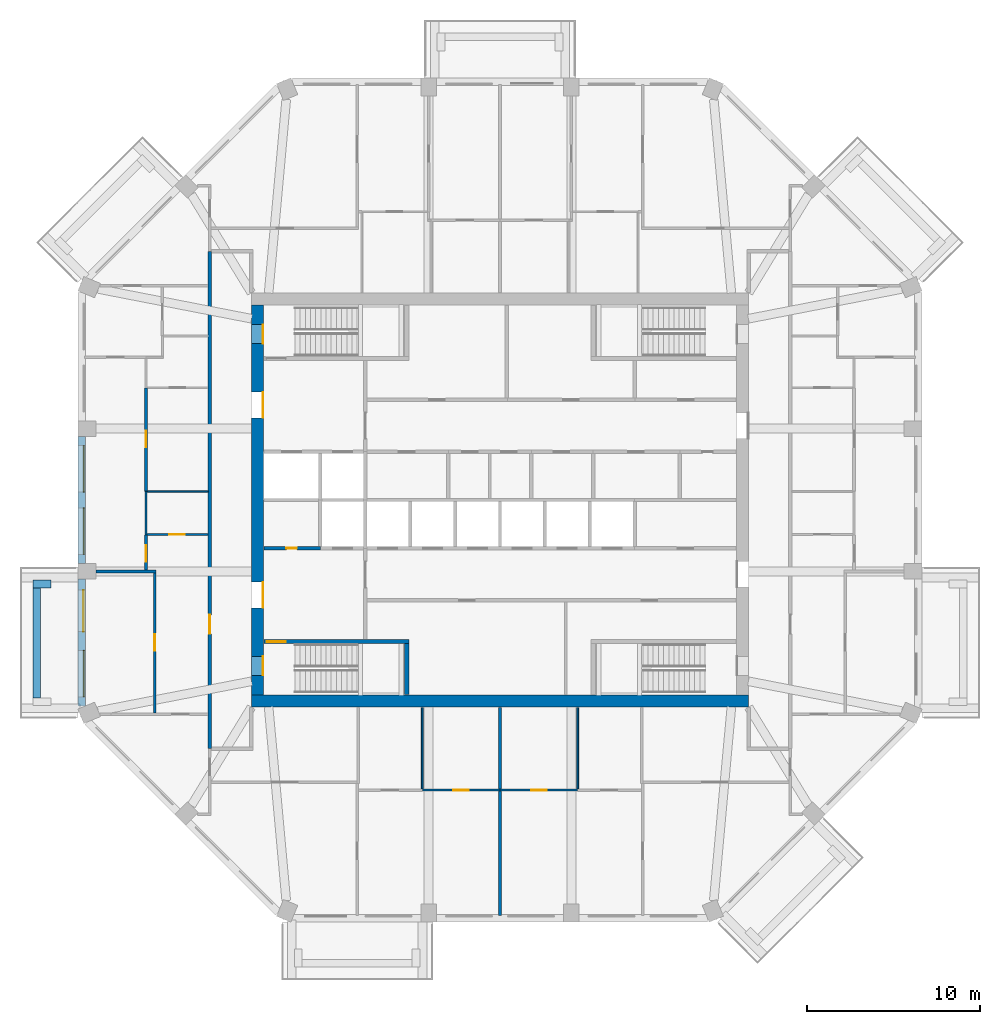
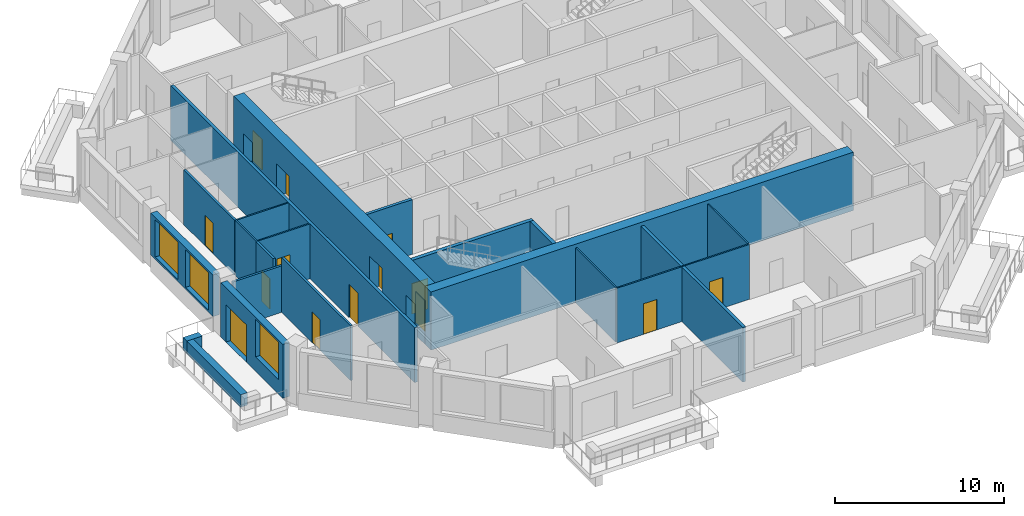
# One storey, part 3 of 10: 22 walls, 14 doors, 3 windows, 17 openings.
"""IFC4 building model written with IfcOpenShell, lengths in metres."""

from ifc_helpers import new_model, si_unit, direction, frame, frame_2d, origin, place, context, subcontext, project, spatial, rectangle, extrude, material, layer, layer_set, type_object, element, fill, save


model = new_model("IFC4")

# Units and contexts
model_context = context("Model", 3, precision=1e-05, world=origin(), true_north=direction((0.0, 1.0)))
body_context = subcontext(model_context, "Body", "Model", "MODEL_VIEW")
ifc_project = project(units=[si_unit("LENGTHUNIT", "METRE"), si_unit("AREAUNIT", "SQUARE_METRE"), si_unit("VOLUMEUNIT", "CUBIC_METRE"), si_unit("PLANEANGLEUNIT", "RADIAN"), si_unit("MASSUNIT", "GRAM", prefix="KILO")], contexts=[model_context])

# Site, building, storey
site_placement = place(None, origin())
site = spatial("IfcSite", under=ifc_project, at=site_placement, CompositionType="ELEMENT")
building_placement = place(site_placement, origin())
building = spatial("IfcBuilding", under=site, at=building_placement, Name="Msitu Wima Residences", CompositionType="ELEMENT")
storey_placement = place(building_placement, frame((0.0, 0.0, 187.5)))
storey = spatial("IfcBuildingStorey", under=building, at=storey_placement, Name="L43", CompositionType="ELEMENT", Elevation=187.5)

# Walls
ifc_material_1 = material(Name="Facing brick")
ifc_layer_1 = layer(ifc_material_1, 0.06494140625, Name="Facing brick")
ifc_material_2 = material(Name="Concrete C40/50", Category="concrete")
ifc_layer_2 = layer(ifc_material_2, 0.156005859375, Name="Concrete C40/50")
ifc_material_3 = material(Name="Waterproofing membrane")
ifc_layer_3 = layer(ifc_material_3, 0.00390625, Name="Waterproofing membrane")
ifc_material_4 = material(Name="Planting soil and planting")
ifc_layer_4 = layer(ifc_material_4, 0.22509765625, Name="Planting soil and planting")
ifc_layer_set_1 = layer_set([ifc_layer_1, ifc_layer_2, ifc_layer_3, ifc_layer_4], Name="Concrete C40/50")
wall_type_1 = type_object("IfcWallType", Name="Balcony planter PLANTER PL450", PredefinedType="USERDEFINED", material=ifc_layer_set_1)
wall_1_placement = place(storey_placement, frame((-26.824951171875, -5.087158203125, 0.0), z_axis=(0.0, 0.0, 1.0), x_axis=(0.0, -1.0, 0.0)))
element("IfcWall", 1, at=wall_1_placement, inside=storey, type_object=wall_type_1, Name="Balcony planter W2 L43", ObjectType="PLANTER", PredefinedType="USERDEFINED", context=body_context, shape_type="SweptSolid", body=[
    extrude(rectangle(XDim=6.37451171875, YDim=0.449951171875, at=frame_2d((3.187255859375, 0.0))), origin(), (0.0, 0.0, 1.0), 0.89990234375),
])
wall_2_placement = place(storey_placement, frame((-26.0, -4.8623046875, 0.0), z_axis=(0.0, 0.0, 1.0), x_axis=(-1.0, 0.0, 0.0)))
element("IfcWall", 2, at=wall_2_placement, inside=storey, type_object=wall_type_1, Name="Balcony planter W2 L43", ObjectType="PLANTER", PredefinedType="USERDEFINED", context=body_context, shape_type="SweptSolid", body=[
    extrude(rectangle(XDim=1.050048828125, YDim=0.449951171875, at=frame_2d((0.52490234375, 0.0))), origin(), (0.0, 0.0, 1.0), 0.89990234375),
])

# Wall, openings, windows
ifc_material_5 = material(Name="Brick (red buff mix)", Category="masonry")
ifc_layer_5 = layer(ifc_material_5, 0.449951171875)
ifc_layer_set_2 = layer_set([ifc_layer_5], Name="Brick (red buff mix)")
wall_type_2 = type_object("IfcWallType", Name="Brick infill wall BW450", PredefinedType="SOLIDWALL", material=ifc_layer_set_2)
wall_3_placement = place(storey_placement, frame((-24.22509765625, 3.687255859375, 0.89990234375), z_axis=(0.0, 0.0, 1.0), x_axis=(0.0, -1.0, 0.0)))
wall_3 = element("IfcWall", 3, at=wall_3_placement, inside=storey, type_object=wall_type_2, Name="Brick infill wall L43 W1", PredefinedType="SOLIDWALL", context=body_context, shape_type="SweptSolid", body=[
    extrude(rectangle(XDim=7.37451171875, YDim=0.449951171875, at=frame_2d((3.687255859375, 0.0))), origin(), (0.0, 0.0, 1.0), 3.0),
])
opening_1_placement = place(wall_3_placement, frame((0.537353515625, 0.0, 0.14990234375)))
opening_1 = element("IfcOpeningElement", 4, at=opening_1_placement, cuts=wall_3, Name="Opening W43-45.031", PredefinedType="OPENING", context=body_context, shape_type="SweptSolid", body=[
    extrude(rectangle(XDim=2.699951171875, YDim=2.699951171875, at=frame_2d((1.35009765625, 1.35009765625))), frame((0.0, 0.23486328125, 0.0), z_axis=(0.0, -1.0, 0.0), x_axis=(1.0, 0.0, 0.0)), (0.0, 0.0, 1.0), 0.469970703125),
])
opening_2_placement = place(wall_3_placement, frame((4.13720703125, 0.0, 0.14990234375)))
opening_2 = element("IfcOpeningElement", 5, at=opening_2_placement, cuts=wall_3, Name="Opening W43-45.032", PredefinedType="OPENING", context=body_context, shape_type="SweptSolid", body=[
    extrude(rectangle(XDim=2.699951171875, YDim=2.699951171875, at=frame_2d((1.35009765625, 1.35009765625))), frame((0.0, 0.23486328125, 0.0), z_axis=(0.0, -1.0, 0.0), x_axis=(1.0, 0.0, 0.0)), (0.0, 0.0, 1.0), 0.469970703125),
])
ifc_material_6 = material(Name="Anodised aluminium, bronze finish, clear low-emissivity double glazing", Category="aluminium")
window_type = type_object("IfcWindowType", Name="Window W2700x2700", PartitioningType="DOUBLE_PANEL_VERTICAL", PredefinedType="WINDOW", material=ifc_material_6)
window_1_placement = place(opening_1_placement, origin())
window_1 = element("IfcWindow", 6, at=window_1_placement, inside=storey, type_object=window_type, Name="Window L43 W1.1", OverallHeight=2.699951171875, OverallWidth=2.699951171875, PartitioningType="SINGLE_PANEL", PredefinedType="WINDOW", context=body_context, shape_type="SweptSolid", body=[
    extrude(rectangle(XDim=2.699951171875, YDim=2.699951171875, at=frame_2d((1.35009765625, 1.35009765625))), frame((0.0, 0.135009765625, 0.0), z_axis=(0.0, -1.0, 0.0), x_axis=(1.0, 0.0, 0.0)), (0.0, 0.0, 1.0), 0.06005859375),
])
fill(opening_1, window_1)
window_2_placement = place(opening_2_placement, origin())
window_2 = element("IfcWindow", 7, at=window_2_placement, inside=storey, type_object=window_type, Name="Window L43 W1.2", OverallHeight=2.699951171875, OverallWidth=2.699951171875, PartitioningType="SINGLE_PANEL", PredefinedType="WINDOW", context=body_context, shape_type="SweptSolid", body=[
    extrude(rectangle(XDim=2.699951171875, YDim=2.699951171875, at=frame_2d((1.35009765625, 1.35009765625))), frame((0.0, 0.135009765625, 0.0), z_axis=(0.0, -1.0, 0.0), x_axis=(1.0, 0.0, 0.0)), (0.0, 0.0, 1.0), 0.06005859375),
])
fill(opening_2, window_2)

# Wall, openings, door, window
wall_4_placement = place(storey_placement, frame((-24.22509765625, -4.587158203125, 0.0), z_axis=(0.0, 0.0, 1.0), x_axis=(0.0, -1.0, 0.0)))
wall_4 = element("IfcWall", 8, at=wall_4_placement, inside=storey, type_object=wall_type_2, Name="Brick infill wall L43 W2", PredefinedType="SOLIDWALL", context=body_context, shape_type="SweptSolid", body=[
    extrude(rectangle(XDim=7.337646484375, YDim=0.449951171875, at=frame_2d((3.6689453125, 0.0))), origin(), (0.0, 0.0, 1.0), 3.89990234375),
])
opening_3_placement = place(wall_4_placement, frame((0.63427734375, 0.0, 0.0)))
opening_3 = element("IfcOpeningElement", 9, at=opening_3_placement, cuts=wall_4, Name="Opening D43-45.007", PredefinedType="OPENING", context=body_context, shape_type="SweptSolid", body=[
    extrude(rectangle(XDim=2.39990234375, YDim=2.699951171875, at=frame_2d((1.199951171875, 1.35009765625))), frame((0.0, 0.23486328125, 0.0), z_axis=(0.0, -1.0, 0.0), x_axis=(1.0, 0.0, 0.0)), (0.0, 0.0, 1.0), 0.469970703125),
])
opening_4_placement = place(wall_4_placement, frame((4.11865234375, 0.0, 1.050048828125)))
opening_4 = element("IfcOpeningElement", 10, at=opening_4_placement, cuts=wall_4, Name="Opening W43-45.033", PredefinedType="OPENING", context=body_context, shape_type="SweptSolid", body=[
    extrude(rectangle(XDim=2.699951171875, YDim=2.699951171875, at=frame_2d((1.35009765625, 1.35009765625))), frame((0.0, 0.23486328125, 0.0), z_axis=(0.0, -1.0, 0.0), x_axis=(1.0, 0.0, 0.0)), (0.0, 0.0, 1.0), 0.469970703125),
])
door_type_1 = type_object("IfcDoorType", Name="Balcony door D2400x2700", OperationType="SLIDING_TO_LEFT", PredefinedType="DOOR", material=ifc_material_6)
door_1_placement = place(opening_3_placement, origin())
door_1 = element("IfcDoor", 11, at=door_1_placement, inside=storey, type_object=door_type_1, Name="Balcony door L43 W2", OperationType="SINGLE_SWING_LEFT", OverallHeight=2.699951171875, OverallWidth=2.39990234375, PredefinedType="DOOR", context=body_context, shape_type="SweptSolid", body=[
    extrude(rectangle(XDim=2.39990234375, YDim=2.699951171875, at=frame_2d((1.199951171875, 1.35009765625))), frame((0.0, 0.1298828125, 0.0), z_axis=(0.0, -1.0, 0.0), x_axis=(1.0, 0.0, 0.0)), (0.0, 0.0, 1.0), 0.050048828125),
])
fill(opening_3, door_1)
window_3_placement = place(opening_4_placement, origin())
window_3 = element("IfcWindow", 12, at=window_3_placement, inside=storey, type_object=window_type, Name="Window L43 W2.2", OverallHeight=2.699951171875, OverallWidth=2.699951171875, PartitioningType="SINGLE_PANEL", PredefinedType="WINDOW", context=body_context, shape_type="SweptSolid", body=[
    extrude(rectangle(XDim=2.699951171875, YDim=2.699951171875, at=frame_2d((1.35009765625, 1.35009765625))), frame((0.0, 0.135009765625, 0.0), z_axis=(0.0, -1.0, 0.0), x_axis=(1.0, 0.0, 0.0)), (0.0, 0.0, 1.0), 0.06005859375),
])
fill(opening_4, window_3)

# Wall
ifc_material_7 = material(Name="Concrete C60/75", Category="concrete")
ifc_layer_6 = layer(ifc_material_7, 0.699951171875)
ifc_layer_set_3 = layer_set([ifc_layer_6], Name="Concrete C60/75")
wall_type_3 = type_object("IfcWallType", Name="Core wall CW700 C60/75", PredefinedType="SHEAR", material=ifc_layer_set_3)
wall_5_placement = place(storey_placement, frame((-14.39990234375, -11.64990234375, 0.0), z_axis=(0.0, 0.0, 1.0), x_axis=(1.0, 0.0, 0.0)))
element("IfcWall", 13, at=wall_5_placement, inside=storey, type_object=wall_type_3, Name="Core wall", PredefinedType="SHEAR", context=body_context, shape_type="SweptSolid", body=[
    extrude(rectangle(XDim=28.7998046875, YDim=0.699951171875, at=frame_2d((14.39990234375, 0.0))), origin(), (0.0, 0.0, 1.0), 4.199951171875),
])

# Wall, openings, doors
wall_6_placement = place(storey_placement, frame((-14.050048828125, -11.300048828125, 0.0), z_axis=(0.0, 0.0, 1.0), x_axis=(0.0, 1.0, 0.0)))
wall_6 = element("IfcWall", 14, at=wall_6_placement, inside=storey, type_object=wall_type_3, Name="Core wall", PredefinedType="SHEAR", context=body_context, shape_type="SweptSolid", body=[
    extrude(rectangle(XDim=22.60009765625, YDim=0.699951171875, at=frame_2d((11.300048828125, 0.0))), origin(), (0.0, 0.0, 1.0), 4.199951171875),
])
opening_5_placement = place(wall_6_placement, frame((20.35009765625, 0.0, 0.0)))
opening_5 = element("IfcOpeningElement", 15, at=opening_5_placement, cuts=wall_6, Name="Opening D43-45.069", PredefinedType="OPENING", context=body_context, shape_type="SweptSolid", body=[
    extrude(rectangle(XDim=1.10009765625, YDim=2.199951171875, at=frame_2d((0.550048828125, 1.10009765625))), frame((0.0, 0.35986328125, 0.0), z_axis=(0.0, -1.0, 0.0), x_axis=(1.0, 0.0, 0.0)), (0.0, 0.0, 1.0), 0.719970703125),
])
opening_6_placement = place(wall_6_placement, frame((1.14990234375, 0.0, 0.0)))
opening_6 = element("IfcOpeningElement", 16, at=opening_6_placement, cuts=wall_6, Name="Opening D43-45.071", PredefinedType="OPENING", context=body_context, shape_type="SweptSolid", body=[
    extrude(rectangle(XDim=1.10009765625, YDim=2.199951171875, at=frame_2d((0.550048828125, 1.10009765625))), frame((0.0, 0.35986328125, 0.0), z_axis=(0.0, -1.0, 0.0), x_axis=(1.0, 0.0, 0.0)), (0.0, 0.0, 1.0), 0.719970703125),
])
opening_7_placement = place(wall_6_placement, frame((16.050048828125, 0.0, 0.0)))
opening_7 = element("IfcOpeningElement", 17, at=opening_7_placement, cuts=wall_6, Name="Opening D43-45.051", PredefinedType="OPENING", context=body_context, shape_type="SweptSolid", body=[
    extrude(rectangle(XDim=1.5, YDim=2.39990234375, at=frame_2d((0.75, 1.199951171875))), frame((0.0, 0.35986328125, 0.0), z_axis=(0.0, -1.0, 0.0), x_axis=(1.0, 0.0, 0.0)), (0.0, 0.0, 1.0), 0.719970703125),
])
opening_8_placement = place(wall_6_placement, frame((5.050048828125, 0.0, 0.0)))
opening_8 = element("IfcOpeningElement", 18, at=opening_8_placement, cuts=wall_6, Name="Opening D43-45.053", PredefinedType="OPENING", context=body_context, shape_type="SweptSolid", body=[
    extrude(rectangle(XDim=1.5, YDim=2.39990234375, at=frame_2d((0.75, 1.199951171875))), frame((0.0, 0.35986328125, 0.0), z_axis=(0.0, -1.0, 0.0), x_axis=(1.0, 0.0, 0.0)), (0.0, 0.0, 1.0), 0.719970703125),
])
ifc_material_8 = material(Name="Steel framed glazed door, fire resisting", Category="steel")
door_type_2 = type_object("IfcDoorType", Name="Lobby door D07 1500x2400", OperationType="DOUBLE_DOOR_SINGLE_SWING", PredefinedType="DOOR", material=ifc_material_8)
door_2_placement = place(opening_7_placement, origin())
door_2 = element("IfcDoor", 19, at=door_2_placement, inside=storey, type_object=door_type_2, Name="Lobby door", OperationType="DOUBLE_DOOR_SINGLE_SWING", OverallHeight=2.39990234375, OverallWidth=1.5, PredefinedType="DOOR", context=body_context, shape_type="SweptSolid", body=[
    extrude(rectangle(XDim=1.5, YDim=2.39990234375, at=frame_2d((0.75, 1.199951171875))), frame((0.0, -0.294921875, 0.0), z_axis=(0.0, -1.0, 0.0), x_axis=(1.0, 0.0, 0.0)), (0.0, 0.0, 1.0), 0.050048828125),
])
fill(opening_7, door_2)
door_3_placement = place(opening_8_placement, origin())
door_3 = element("IfcDoor", 20, at=door_3_placement, inside=storey, type_object=door_type_2, Name="Lobby door", OperationType="DOUBLE_DOOR_SINGLE_SWING", OverallHeight=2.39990234375, OverallWidth=1.5, PredefinedType="DOOR", context=body_context, shape_type="SweptSolid", body=[
    extrude(rectangle(XDim=1.5, YDim=2.39990234375, at=frame_2d((0.75, 1.199951171875))), frame((0.0, -0.294921875, 0.0), z_axis=(0.0, -1.0, 0.0), x_axis=(1.0, 0.0, 0.0)), (0.0, 0.0, 1.0), 0.050048828125),
])
fill(opening_8, door_3)
ifc_material_9 = material(Name="Steel door, fire resisting, panic bar", Category="steel")
door_type_3 = type_object("IfcDoorType", Name="Stair door D06 1100x2200", OperationType="SINGLE_SWING_LEFT", PredefinedType="DOOR", material=ifc_material_9)
door_4_placement = place(opening_5_placement, origin())
door_4 = element("IfcDoor", 21, at=door_4_placement, inside=storey, type_object=door_type_3, Name="Stair door", OperationType="SINGLE_SWING_RIGHT", OverallHeight=2.199951171875, OverallWidth=1.10009765625, PredefinedType="DOOR", context=body_context, shape_type="SweptSolid", body=[
    extrude(rectangle(XDim=1.10009765625, YDim=2.199951171875, at=frame_2d((0.550048828125, 1.10009765625))), frame((0.0, -0.294921875, 0.0), z_axis=(0.0, -1.0, 0.0), x_axis=(1.0, 0.0, 0.0)), (0.0, 0.0, 1.0), 0.050048828125),
])
fill(opening_5, door_4)
door_5_placement = place(opening_6_placement, origin())
door_5 = element("IfcDoor", 22, at=door_5_placement, inside=storey, type_object=door_type_3, Name="Stair door", OperationType="SINGLE_SWING_LEFT", OverallHeight=2.199951171875, OverallWidth=1.10009765625, PredefinedType="DOOR", context=body_context, shape_type="SweptSolid", body=[
    extrude(rectangle(XDim=1.10009765625, YDim=2.199951171875, at=frame_2d((0.550048828125, 1.10009765625))), frame((0.0, -0.294921875, 0.0), z_axis=(0.0, -1.0, 0.0), x_axis=(1.0, 0.0, 0.0)), (0.0, 0.0, 1.0), 0.050048828125),
])
fill(opening_6, door_5)

# Wall, opening, door
ifc_material_10 = material(Name="Plaster")
ifc_layer_7 = layer(ifc_material_10, 0.011962890625, Name="Plaster")
ifc_material_11 = material(Name="Concrete blockwork", Category="masonry")
ifc_layer_8 = layer(ifc_material_11, 0.176025390625, Name="Concrete blockwork")
ifc_layer_9 = layer(ifc_material_10, 0.011962890625, Name="Plaster")
ifc_layer_set_4 = layer_set([ifc_layer_7, ifc_layer_8, ifc_layer_9], Name="Concrete blockwork")
wall_type_4 = type_object("IfcWallType", Name="Corridor wall FW200", PredefinedType="PARTITIONING", material=ifc_layer_set_4)
wall_7_placement = place(storey_placement, frame((-16.800048828125, -14.39990234375, 0.0), z_axis=(0.0, 0.0, 1.0), x_axis=(0.0, 1.0, 0.0)))
wall_7 = element("IfcWall", 23, at=wall_7_placement, inside=storey, type_object=wall_type_4, Name="Corridor wall", PredefinedType="PARTITIONING", context=body_context, shape_type="SweptSolid", body=[
    extrude(rectangle(XDim=28.7998046875, YDim=0.199951171875, at=frame_2d((14.39990234375, 0.0))), origin(), (0.0, 0.0, 1.0), 3.949951171875),
])
opening_9_placement = place(wall_7_placement, frame((6.64990234375, 0.0, 0.0)))
opening_9 = element("IfcOpeningElement", 24, at=opening_9_placement, cuts=wall_7, Name="Opening D43-45.029", PredefinedType="OPENING", context=body_context, shape_type="SweptSolid", body=[
    extrude(rectangle(XDim=1.10009765625, YDim=2.39990234375, at=frame_2d((0.550048828125, 1.199951171875))), frame((0.0, 0.10986328125, 0.0), z_axis=(0.0, -1.0, 0.0), x_axis=(1.0, 0.0, 0.0)), (0.0, 0.0, 1.0), 0.219970703125),
])
ifc_material_12 = material(Name="Timber flush door, fire resisting, self-closing", Category="wood")
door_type_4 = type_object("IfcDoorType", Name="Flat entrance door D01 1100x2400", OperationType="SINGLE_SWING_LEFT", PredefinedType="DOOR", material=ifc_material_12)
door_6_placement = place(opening_9_placement, origin())
door_6 = element("IfcDoor", 25, at=door_6_placement, inside=storey, type_object=door_type_4, Name="Flat entrance door", OperationType="SINGLE_SWING_LEFT", OverallHeight=2.39990234375, OverallWidth=1.10009765625, PredefinedType="DOOR", context=body_context, shape_type="SweptSolid", body=[
    extrude(rectangle(XDim=1.10009765625, YDim=2.39990234375, at=frame_2d((0.550048828125, 1.199951171875))), frame((0.0, 0.02490234375, 0.0), z_axis=(0.0, -1.0, 0.0), x_axis=(1.0, 0.0, 0.0)), (0.0, 0.0, 1.0), 0.050048828125),
])
fill(opening_9, door_6)

# Wall
ifc_layer_10 = layer(ifc_material_10, 0.011962890625, Name="Plaster")
ifc_layer_11 = layer(ifc_material_11, 0.1259765625, Name="Concrete blockwork")
ifc_layer_12 = layer(ifc_material_10, 0.011962890625, Name="Plaster")
ifc_layer_set_5 = layer_set([ifc_layer_10, ifc_layer_11, ifc_layer_12], Name="Concrete blockwork")
wall_type_5 = type_object("IfcWallType", Name="Partition PW150", PredefinedType="PARTITIONING", material=ifc_layer_set_5)
wall_8_placement = place(storey_placement, frame((-23.39990234375, -4.139892578125, 0.0), z_axis=(0.0, 0.0, 1.0), x_axis=(1.0, 0.0, 0.0)))
element("IfcWall", 26, at=wall_8_placement, inside=storey, type_object=wall_type_5, Name="Partition", PredefinedType="PARTITIONING", context=body_context, shape_type="SweptSolid", body=[
    extrude(rectangle(XDim=3.474853515625, YDim=0.14990234375, at=frame_2d((1.7373046875, 0.0))), origin(), (0.0, 0.0, 1.0), 3.35009765625),
])

# Wall, opening, door
wall_9_placement = place(storey_placement, frame((-20.5, -4.06494140625, 0.0), z_axis=(0.0, 0.0, 1.0), x_axis=(0.0, 1.0, 0.0)))
wall_9 = element("IfcWall", 27, at=wall_9_placement, inside=storey, type_object=wall_type_5, Name="Partition", PredefinedType="PARTITIONING", context=body_context, shape_type="SweptSolid", body=[
    extrude(rectangle(XDim=2.044921875, YDim=0.14990234375, at=frame_2d((1.0224609375, 0.0))), origin(), (0.0, 0.0, 1.0), 3.949951171875),
])
opening_10_placement = place(wall_9_placement, frame((0.5, 0.0, 0.0)))
opening_10 = element("IfcOpeningElement", 28, at=opening_10_placement, cuts=wall_9, Name="Opening D43-45.044", PredefinedType="OPENING", context=body_context, shape_type="SweptSolid", body=[
    extrude(rectangle(XDim=0.949951171875, YDim=2.199951171875, at=frame_2d((0.47509765625, 1.10009765625))), frame((0.0, 0.0849609375, 0.0), z_axis=(0.0, -1.0, 0.0), x_axis=(1.0, 0.0, 0.0)), (0.0, 0.0, 1.0), 0.169921875),
])
ifc_material_13 = material(Name="Timber flush door", Category="wood")
door_type_5 = type_object("IfcDoorType", Name="Room door D12 950x2200", OperationType="SINGLE_SWING_LEFT", PredefinedType="DOOR", material=ifc_material_13)
door_7_placement = place(opening_10_placement, origin())
door_7 = element("IfcDoor", 29, at=door_7_placement, inside=storey, type_object=door_type_5, Name="Room door", OperationType="SINGLE_SWING_LEFT", OverallHeight=2.199951171875, OverallWidth=0.949951171875, PredefinedType="DOOR", context=body_context, shape_type="SweptSolid", body=[
    extrude(rectangle(XDim=0.949951171875, YDim=2.199951171875, at=frame_2d((0.47509765625, 1.10009765625))), frame((0.0, 0.02490234375, 0.0), z_axis=(0.0, -1.0, 0.0), x_axis=(1.0, 0.0, 0.0)), (0.0, 0.0, 1.0), 0.050048828125),
])
fill(opening_10, door_7)

wall_10_placement = place(storey_placement, frame((-20.5, 0.5, 0.0), z_axis=(0.0, 0.0, 1.0), x_axis=(0.0, 1.0, 0.0)))
wall_10 = element("IfcWall", 30, at=wall_10_placement, inside=storey, type_object=wall_type_5, Name="Partition", PredefinedType="PARTITIONING", context=body_context, shape_type="SweptSolid", body=[
    extrude(rectangle(XDim=6.0, YDim=0.14990234375, at=frame_2d((3.0, 0.0))), origin(), (0.0, 0.0, 1.0), 3.949951171875),
])
opening_11_placement = place(wall_10_placement, frame((2.550048828125, 0.0, 0.0)))
opening_11 = element("IfcOpeningElement", 31, at=opening_11_placement, cuts=wall_10, Name="Opening D43-45.031", PredefinedType="OPENING", context=body_context, shape_type="SweptSolid", body=[
    extrude(rectangle(XDim=0.949951171875, YDim=2.199951171875, at=frame_2d((0.47509765625, 1.10009765625))), frame((0.0, 0.0849609375, 0.0), z_axis=(0.0, -1.0, 0.0), x_axis=(1.0, 0.0, 0.0)), (0.0, 0.0, 1.0), 0.169921875),
])
door_8_placement = place(opening_11_placement, origin())
door_8 = element("IfcDoor", 32, at=door_8_placement, inside=storey, type_object=door_type_5, Name="Room door", OperationType="SINGLE_SWING_RIGHT", OverallHeight=2.199951171875, OverallWidth=0.949951171875, PredefinedType="DOOR", context=body_context, shape_type="SweptSolid", body=[
    extrude(rectangle(XDim=0.949951171875, YDim=2.199951171875, at=frame_2d((0.47509765625, 1.10009765625))), frame((0.0, 0.02490234375, 0.0), z_axis=(0.0, -1.0, 0.0), x_axis=(1.0, 0.0, 0.0)), (0.0, 0.0, 1.0), 0.050048828125),
])
fill(opening_11, door_8)

wall_11_placement = place(storey_placement, frame((-20.0, -12.3349609375, 0.0), z_axis=(0.0, 0.0, 1.0), x_axis=(0.0, 1.0, 0.0)))
wall_11 = element("IfcWall", 33, at=wall_11_placement, inside=storey, type_object=wall_type_5, Name="Partition", PredefinedType="PARTITIONING", context=body_context, shape_type="SweptSolid", body=[
    extrude(rectangle(XDim=8.119873046875, YDim=0.14990234375, at=frame_2d((4.06005859375, 0.0))), origin(), (0.0, 0.0, 1.0), 3.949951171875),
])
opening_12_placement = place(wall_11_placement, frame((3.60009765625, 0.0, 0.0)))
opening_12 = element("IfcOpeningElement", 34, at=opening_12_placement, cuts=wall_11, Name="Opening D43-45.043", PredefinedType="OPENING", context=body_context, shape_type="SweptSolid", body=[
    extrude(rectangle(XDim=0.949951171875, YDim=2.199951171875, at=frame_2d((0.47509765625, 1.10009765625))), frame((0.0, 0.0849609375, 0.0), z_axis=(0.0, -1.0, 0.0), x_axis=(1.0, 0.0, 0.0)), (0.0, 0.0, 1.0), 0.169921875),
])
door_9_placement = place(opening_12_placement, origin())
door_9 = element("IfcDoor", 35, at=door_9_placement, inside=storey, type_object=door_type_5, Name="Room door", OperationType="SINGLE_SWING_RIGHT", OverallHeight=2.199951171875, OverallWidth=0.949951171875, PredefinedType="DOOR", context=body_context, shape_type="SweptSolid", body=[
    extrude(rectangle(XDim=0.949951171875, YDim=2.199951171875, at=frame_2d((0.47509765625, 1.10009765625))), frame((0.0, 0.02490234375, 0.0), z_axis=(0.0, -1.0, 0.0), x_axis=(1.0, 0.0, 0.0)), (0.0, 0.0, 1.0), 0.050048828125),
])
fill(opening_12, door_9)

# Wall
ifc_layer_13 = layer(ifc_material_10, 0.011962890625, Name="Plaster")
ifc_material_14 = material(Name="Dense concrete blockwork", Category="masonry")
ifc_layer_14 = layer(ifc_material_14, 0.176025390625, Name="Dense concrete blockwork")
ifc_layer_15 = layer(ifc_material_10, 0.011962890625, Name="Plaster")
ifc_layer_set_6 = layer_set([ifc_layer_13, ifc_layer_14, ifc_layer_15], Name="Dense concrete blockwork")
wall_type_6 = type_object("IfcWallType", Name="Party wall PW200", PredefinedType="PARTITIONING", material=ifc_layer_set_6)
wall_12_placement = place(storey_placement, frame((0.0, -24.054931640625, 0.0), z_axis=(0.0, 0.0, 1.0), x_axis=(0.0, 1.0, 0.0)))
element("IfcWall", 36, at=wall_12_placement, inside=storey, type_object=wall_type_6, Name="Party wall", PredefinedType="PARTITIONING", context=body_context, shape_type="SweptSolid", body=[
    extrude(rectangle(XDim=12.02490234375, YDim=0.199951171875, at=frame_2d((6.012451171875, 0.0))), origin(), (0.0, 0.0, 1.0), 3.949951171875),
])

# Wall, opening, door
ifc_layer_16 = layer(ifc_material_10, 0.011962890625, Name="Plaster")
ifc_material_15 = material(Name="Reinforced concrete blockwork", Category="masonry")
ifc_layer_17 = layer(ifc_material_15, 0.176025390625, Name="Reinforced concrete blockwork")
ifc_layer_18 = layer(ifc_material_10, 0.011962890625, Name="Plaster")
ifc_layer_set_7 = layer_set([ifc_layer_16, ifc_layer_17, ifc_layer_18], Name="Reinforced concrete blockwork")
wall_type_7 = type_object("IfcWallType", Name="Plant and riser wall PL200", PredefinedType="PARTITIONING", material=ifc_layer_set_7)
wall_13_placement = place(storey_placement, frame((-13.669921875, -2.800048828125, 0.0), z_axis=(0.0, 0.0, 1.0), x_axis=(1.0, 0.0, 0.0)))
wall_13 = element("IfcWall", 37, at=wall_13_placement, inside=storey, type_object=wall_type_7, Name="Plant and riser wall", PredefinedType="PARTITIONING", context=body_context, shape_type="SweptSolid", body=[
    extrude(rectangle(XDim=3.27001953125, YDim=0.199951171875, at=frame_2d((1.635009765625, 0.0))), origin(), (0.0, 0.0, 1.0), 3.949951171875),
])
opening_13_placement = place(wall_13_placement, frame((1.300048828125, 0.0, 0.0)))
opening_13 = element("IfcOpeningElement", 38, at=opening_13_placement, cuts=wall_13, Name="Opening D43-45.068", PredefinedType="OPENING", context=body_context, shape_type="SweptSolid", body=[
    extrude(rectangle(XDim=0.60009765625, YDim=2.0, at=frame_2d((0.300048828125, 1.0))), frame((0.0, 0.10986328125, 0.0), z_axis=(0.0, -1.0, 0.0), x_axis=(1.0, 0.0, 0.0)), (0.0, 0.0, 1.0), 0.219970703125),
])
ifc_material_16 = material(Name="Steel access door, fire resisting", Category="steel")
door_type_6 = type_object("IfcDoorType", Name="Riser access door D08 600x2000", OperationType="SINGLE_SWING_LEFT", PredefinedType="DOOR", material=ifc_material_16)
door_10_placement = place(opening_13_placement, origin())
door_10 = element("IfcDoor", 39, at=door_10_placement, inside=storey, type_object=door_type_6, Name="Riser access door", OperationType="SINGLE_SWING_RIGHT", OverallHeight=2.0, OverallWidth=0.60009765625, PredefinedType="DOOR", context=body_context, shape_type="SweptSolid", body=[
    extrude(rectangle(XDim=0.60009765625, YDim=2.0, at=frame_2d((0.300048828125, 1.0))), frame((0.0, 0.02490234375, 0.0), z_axis=(0.0, -1.0, 0.0), x_axis=(1.0, 0.0, 0.0)), (0.0, 0.0, 1.0), 0.050048828125),
])
fill(opening_13, door_10)

ifc_material_17 = material(Name="Concrete C50/60", Category="concrete")
ifc_layer_19 = layer(ifc_material_17, 0.25)
ifc_layer_set_8 = layer_set([ifc_layer_19], Name="Concrete C50/60")
wall_type_8 = type_object("IfcWallType", Name="Stair enclosure wall SW250", PredefinedType="SHEAR", material=ifc_layer_set_8)
wall_14_placement = place(storey_placement, frame((-13.669921875, -8.199951171875, 0.0), z_axis=(0.0, 0.0, 1.0), x_axis=(1.0, 0.0, 0.0)))
wall_14 = element("IfcWall", 40, at=wall_14_placement, inside=storey, type_object=wall_type_8, Name="Stair enclosure wall", PredefinedType="SHEAR", context=body_context, shape_type="SweptSolid", body=[
    extrude(rectangle(XDim=8.39501953125, YDim=0.25, at=frame_2d((4.197509765625, 0.0))), origin(), (0.0, 0.0, 1.0), 3.949951171875),
])
opening_14_placement = place(wall_14_placement, frame((0.14990234375, 0.0, 0.0)))
opening_14 = element("IfcOpeningElement", 41, at=opening_14_placement, cuts=wall_14, Name="Opening D43-45.072", PredefinedType="OPENING", context=body_context, shape_type="SweptSolid", body=[
    extrude(rectangle(XDim=1.10009765625, YDim=2.199951171875, at=frame_2d((0.550048828125, 1.10009765625))), frame((0.0, 0.135009765625, 0.0), z_axis=(0.0, -1.0, 0.0), x_axis=(1.0, 0.0, 0.0)), (0.0, 0.0, 1.0), 0.27001953125),
])
door_11_placement = place(opening_14_placement, origin())
door_11 = element("IfcDoor", 42, at=door_11_placement, inside=storey, type_object=door_type_3, Name="Stair door", OperationType="SINGLE_SWING_RIGHT", OverallHeight=2.199951171875, OverallWidth=1.10009765625, PredefinedType="DOOR", context=body_context, shape_type="SweptSolid", body=[
    extrude(rectangle(XDim=1.10009765625, YDim=2.199951171875, at=frame_2d((0.550048828125, 1.10009765625))), frame((0.0, 0.02490234375, 0.0), z_axis=(0.0, -1.0, 0.0), x_axis=(1.0, 0.0, 0.0)), (0.0, 0.0, 1.0), 0.050048828125),
])
fill(opening_14, door_11)

# Walls
wall_15_placement = place(storey_placement, frame((-5.39990234375, -11.27001953125, 0.0), z_axis=(0.0, 0.0, 1.0), x_axis=(0.0, 1.0, 0.0)))
element("IfcWall", 43, at=wall_15_placement, inside=storey, type_object=wall_type_8, Name="Stair enclosure wall", PredefinedType="SHEAR", context=body_context, shape_type="SweptSolid", body=[
    extrude(rectangle(XDim=2.945068359375, YDim=0.25, at=frame_2d((1.47265625, 0.0))), origin(), (0.0, 0.0, 1.0), 3.949951171875),
])
ifc_material_18 = material(Name="Ceramic tiles")
ifc_layer_20 = layer(ifc_material_18, 0.008056640625, Name="Ceramic tiles")
ifc_material_19 = material(Name="Moisture-resistant board")
ifc_layer_21 = layer(ifc_material_19, 0.012451171875, Name="Moisture-resistant board")
ifc_material_20 = material(Name="Light-gauge stud framing with mineral wool")
ifc_layer_22 = layer(ifc_material_20, 0.06689453125, Name="Light-gauge stud framing with mineral wool")
ifc_layer_23 = layer(ifc_material_19, 0.012451171875, Name="Moisture-resistant board")
ifc_layer_set_9 = layer_set([ifc_layer_20, ifc_layer_21, ifc_layer_22, ifc_layer_23], Name="Light-gauge stud framing with mineral wool")
wall_type_9 = type_object("IfcWallType", Name="Wet wall PW100", PredefinedType="PARTITIONING", material=ifc_layer_set_9)
wall_16_placement = place(storey_placement, frame((-20.5, -2.02001953125, 0.0), z_axis=(0.0, 0.0, 1.0), x_axis=(0.0, 1.0, 0.0)))
element("IfcWall", 44, at=wall_16_placement, inside=storey, type_object=wall_type_9, Name="Wet wall", PredefinedType="PARTITIONING", context=body_context, shape_type="SweptSolid", body=[
    extrude(rectangle(XDim=2.52001953125, YDim=0.10009765625, at=frame_2d((1.260009765625, 0.0))), origin(), (0.0, 0.0, 1.0), 3.949951171875),
])

# Wall, opening, door
wall_17_placement = place(storey_placement, frame((-20.449951171875, -2.0, 0.0), z_axis=(0.0, 0.0, 1.0), x_axis=(1.0, 0.0, 0.0)))
wall_17 = element("IfcWall", 45, at=wall_17_placement, inside=storey, type_object=wall_type_9, Name="Wet wall", PredefinedType="PARTITIONING", context=body_context, shape_type="SweptSolid", body=[
    extrude(rectangle(XDim=3.550048828125, YDim=0.10009765625, at=frame_2d((1.77490234375, 0.0))), origin(), (0.0, 0.0, 1.0), 3.949951171875),
])
opening_15_placement = place(wall_17_placement, frame((1.300048828125, 0.0, 0.0)))
opening_15 = element("IfcOpeningElement", 46, at=opening_15_placement, cuts=wall_17, Name="Opening D43-45.041", PredefinedType="OPENING", context=body_context, shape_type="SweptSolid", body=[
    extrude(rectangle(XDim=0.89990234375, YDim=2.199951171875, at=frame_2d((0.449951171875, 1.10009765625))), frame((0.0, 0.06005859375, 0.0), z_axis=(0.0, -1.0, 0.0), x_axis=(1.0, 0.0, 0.0)), (0.0, 0.0, 1.0), 0.1201171875),
])
ifc_material_21 = material(Name="Timber flush door, moisture resistant", Category="wood")
door_type_7 = type_object("IfcDoorType", Name="Bathroom door D03 900x2200", OperationType="SINGLE_SWING_LEFT", PredefinedType="DOOR", material=ifc_material_21)
door_12_placement = place(opening_15_placement, origin())
door_12 = element("IfcDoor", 47, at=door_12_placement, inside=storey, type_object=door_type_7, Name="Bathroom door", OperationType="SINGLE_SWING_LEFT", OverallHeight=2.199951171875, OverallWidth=0.89990234375, PredefinedType="DOOR", context=body_context, shape_type="SweptSolid", body=[
    extrude(rectangle(XDim=0.89990234375, YDim=2.199951171875, at=frame_2d((0.449951171875, 1.10009765625))), frame((0.0, 0.02490234375, 0.0), z_axis=(0.0, -1.0, 0.0), x_axis=(1.0, 0.0, 0.0)), (0.0, 0.0, 1.0), 0.050048828125),
])
fill(opening_15, door_12)

# Walls
wall_18_placement = place(storey_placement, frame((-20.425048828125, 0.5, 0.0), z_axis=(0.0, 0.0, 1.0), x_axis=(1.0, 0.0, 0.0)))
element("IfcWall", 48, at=wall_18_placement, inside=storey, type_object=wall_type_9, Name="Wet wall", PredefinedType="PARTITIONING", context=body_context, shape_type="SweptSolid", body=[
    extrude(rectangle(XDim=3.525146484375, YDim=0.10009765625, at=frame_2d((1.7626953125, 0.0))), origin(), (0.0, 0.0, 1.0), 3.949951171875),
])
wall_19_placement = place(storey_placement, frame((-4.5, -16.72509765625, 0.0), z_axis=(0.0, 0.0, 1.0), x_axis=(0.0, 1.0, 0.0)))
element("IfcWall", 49, at=wall_19_placement, inside=storey, type_object=wall_type_9, Name="Wet wall", PredefinedType="PARTITIONING", context=body_context, shape_type="SweptSolid", body=[
    extrude(rectangle(XDim=4.695068359375, YDim=0.10009765625, at=frame_2d((2.34765625, 0.0))), origin(), (0.0, 0.0, 1.0), 3.949951171875),
])

# Wall, opening, door
wall_20_placement = place(storey_placement, frame((-4.5, -16.800048828125, 0.0), z_axis=(0.0, 0.0, 1.0), x_axis=(1.0, 0.0, 0.0)))
wall_20 = element("IfcWall", 50, at=wall_20_placement, inside=storey, type_object=wall_type_9, Name="Wet wall", PredefinedType="PARTITIONING", context=body_context, shape_type="SweptSolid", body=[
    extrude(rectangle(XDim=4.5, YDim=0.10009765625, at=frame_2d((2.25, 0.0))), origin(), (0.0, 0.0, 1.0), 3.949951171875),
])
opening_16_placement = place(wall_20_placement, frame((1.800048828125, 0.0, 0.0)))
opening_16 = element("IfcOpeningElement", 51, at=opening_16_placement, cuts=wall_20, Name="Opening D43-45.037", PredefinedType="OPENING", context=body_context, shape_type="SweptSolid", body=[
    extrude(rectangle(XDim=0.89990234375, YDim=2.199951171875, at=frame_2d((0.449951171875, 1.10009765625))), frame((0.0, 0.06005859375, 0.0), z_axis=(0.0, -1.0, 0.0), x_axis=(1.0, 0.0, 0.0)), (0.0, 0.0, 1.0), 0.1201171875),
])
door_13_placement = place(opening_16_placement, origin())
door_13 = element("IfcDoor", 52, at=door_13_placement, inside=storey, type_object=door_type_7, Name="Bathroom door", OperationType="SINGLE_SWING_RIGHT", OverallHeight=2.199951171875, OverallWidth=0.89990234375, PredefinedType="DOOR", context=body_context, shape_type="SweptSolid", body=[
    extrude(rectangle(XDim=0.89990234375, YDim=2.199951171875, at=frame_2d((0.449951171875, 1.10009765625))), frame((0.0, 0.02490234375, 0.0), z_axis=(0.0, -1.0, 0.0), x_axis=(1.0, 0.0, 0.0)), (0.0, 0.0, 1.0), 0.050048828125),
])
fill(opening_16, door_13)

wall_21_placement = place(storey_placement, frame((0.0, -16.800048828125, 0.0), z_axis=(0.0, 0.0, 1.0), x_axis=(1.0, 0.0, 0.0)))
wall_21 = element("IfcWall", 53, at=wall_21_placement, inside=storey, type_object=wall_type_9, Name="Wet wall", PredefinedType="PARTITIONING", context=body_context, shape_type="SweptSolid", body=[
    extrude(rectangle(XDim=4.5, YDim=0.10009765625, at=frame_2d((2.25, 0.0))), origin(), (0.0, 0.0, 1.0), 3.949951171875),
])
opening_17_placement = place(wall_21_placement, frame((1.800048828125, 0.0, 0.0)))
opening_17 = element("IfcOpeningElement", 54, at=opening_17_placement, cuts=wall_21, Name="Opening D43-45.016", PredefinedType="OPENING", context=body_context, shape_type="SweptSolid", body=[
    extrude(rectangle(XDim=0.89990234375, YDim=2.199951171875, at=frame_2d((0.449951171875, 1.10009765625))), frame((0.0, 0.06005859375, 0.0), z_axis=(0.0, -1.0, 0.0), x_axis=(1.0, 0.0, 0.0)), (0.0, 0.0, 1.0), 0.1201171875),
])
door_14_placement = place(opening_17_placement, origin())
door_14 = element("IfcDoor", 55, at=door_14_placement, inside=storey, type_object=door_type_7, Name="Bathroom door", OperationType="SINGLE_SWING_LEFT", OverallHeight=2.199951171875, OverallWidth=0.89990234375, PredefinedType="DOOR", context=body_context, shape_type="SweptSolid", body=[
    extrude(rectangle(XDim=0.89990234375, YDim=2.199951171875, at=frame_2d((0.449951171875, 1.10009765625))), frame((0.0, 0.02490234375, 0.0), z_axis=(0.0, -1.0, 0.0), x_axis=(1.0, 0.0, 0.0)), (0.0, 0.0, 1.0), 0.050048828125),
])
fill(opening_17, door_14)

# Wall
wall_22_placement = place(storey_placement, frame((4.5, -16.72509765625, 0.0), z_axis=(0.0, 0.0, 1.0), x_axis=(0.0, 1.0, 0.0)))
element("IfcWall", 56, at=wall_22_placement, inside=storey, type_object=wall_type_9, Name="Wet wall", PredefinedType="PARTITIONING", context=body_context, shape_type="SweptSolid", body=[
    extrude(rectangle(XDim=4.695068359375, YDim=0.10009765625, at=frame_2d((2.34765625, 0.0))), origin(), (0.0, 0.0, 1.0), 3.949951171875),
])

save(model, "model.ifc")
